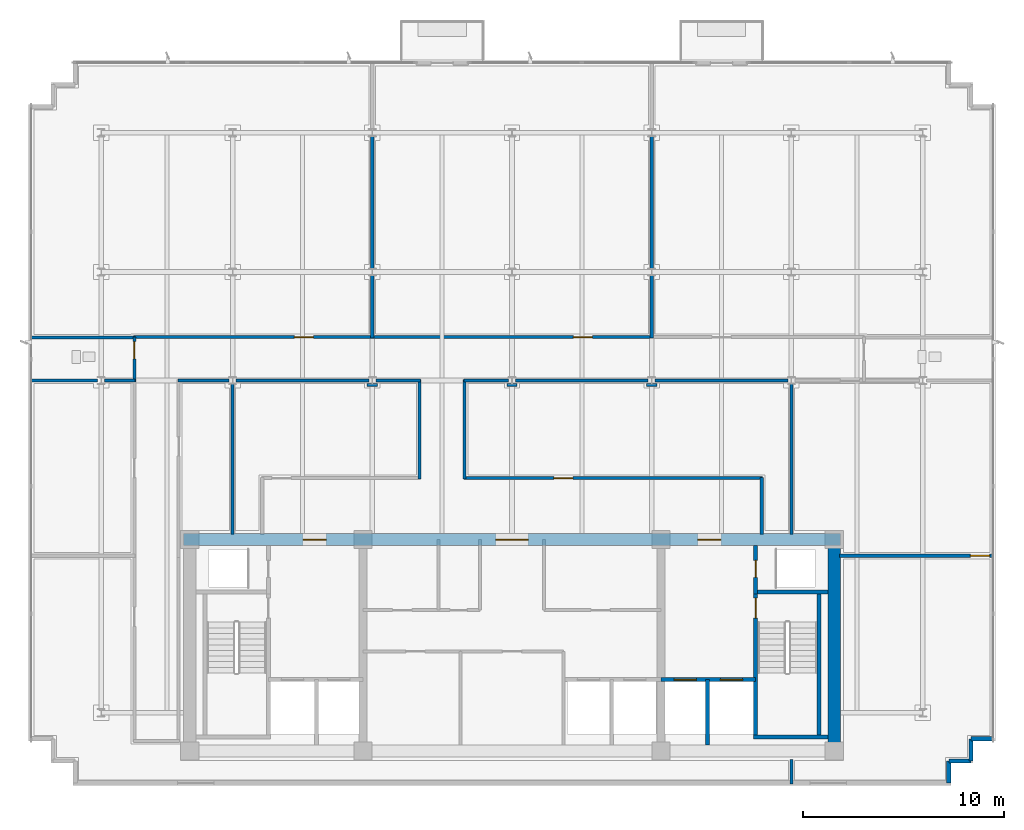
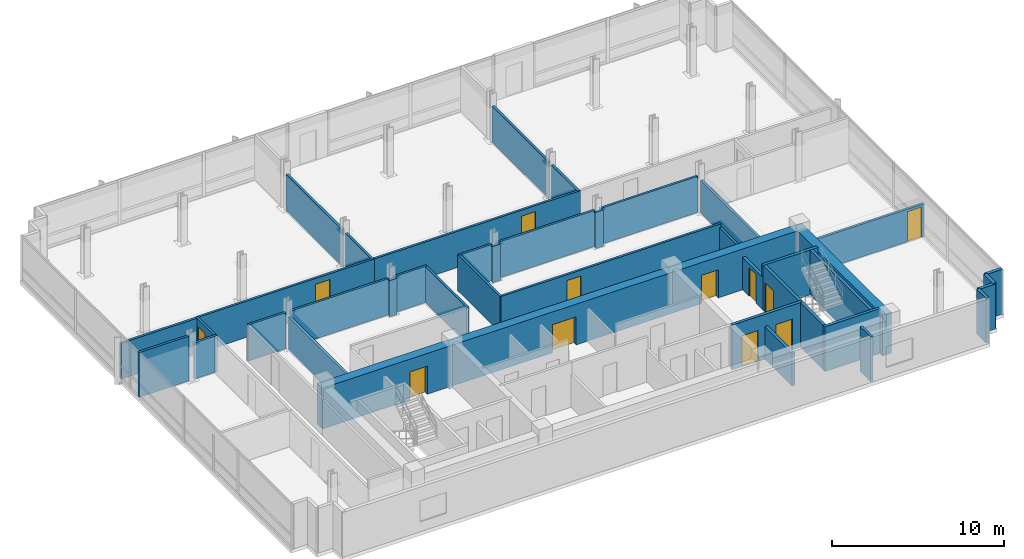
# One storey, part 9 of 15: 40 walls, 12 doors, 12 openings.
"""IFC4 building model written with IfcOpenShell, lengths in metres."""

from ifc_helpers import new_model, si_unit, direction, frame, frame_2d, origin, place, context, subcontext, project, spatial, rectangle, extrude, material, layer, layer_set, type_object, element, fill, save


model = new_model("IFC4")

# Units and contexts
model_context = context("Model", 3, precision=1e-05, world=origin(), true_north=direction((0.0, 1.0)))
body_context = subcontext(model_context, "Body", "Model", "MODEL_VIEW")
ifc_project = project(units=[si_unit("LENGTHUNIT", "METRE"), si_unit("AREAUNIT", "SQUARE_METRE"), si_unit("VOLUMEUNIT", "CUBIC_METRE"), si_unit("PLANEANGLEUNIT", "RADIAN"), si_unit("MASSUNIT", "GRAM", prefix="KILO")], contexts=[model_context])

# Site, building, storey
site_placement = place(None, origin())
site = spatial("IfcSite", under=ifc_project, at=site_placement, CompositionType="ELEMENT")
building_placement = place(site_placement, origin())
building = spatial("IfcBuilding", under=site, at=building_placement, Name="Solmavex Isthmus Hotel", CompositionType="ELEMENT")
storey_placement = place(building_placement, frame((0.0, 0.0, 273.0)))
storey = spatial("IfcBuildingStorey", under=building, at=storey_placement, Name="L74", CompositionType="ELEMENT", Elevation=273.0)

# Walls
ifc_material_1 = material(Name="Precast Concrete C40/50", Category="concrete")
ifc_layer_1 = layer(ifc_material_1, 0.25)
ifc_layer_set_1 = layer_set([ifc_layer_1], Name="Precast Concrete C40/50")
wall_type_1 = type_object("IfcWallType", Name="EW-TWR-250", PredefinedType="STANDARD", material=ifc_layer_set_1)
wall_1_placement = place(storey_placement, frame((23.889892578125, -12.389892578125, 0.0), z_axis=(0.0, 0.0, 1.0), x_axis=(-1.0, 0.0, 0.0)))
element("IfcWall", 1, at=wall_1_placement, inside=storey, type_object=wall_type_1, Name="Serrated Corner Facade Panel L74-16", PredefinedType="STANDARD", context=body_context, shape_type="SweptSolid", body=[
    extrude(rectangle(XDim=1.099853515625, YDim=0.219970703125, at=frame_2d((0.5498046875, 0.0))), origin(), (0.0, 0.0, 1.0), 3.18994140625),
])
for number, where, z_axis, x_axis, name in (
    (2, (22.7900390625, -12.389892578125, 0.0), (0.0, 0.0, 1.0), (0.0, -1.0, 0.0), "Serrated Corner Facade Panel L74-17"),
    (3, (22.7900390625, -13.489990234375, 0.0), (0.0, 0.0, 1.0), (-1.0, 0.0, 0.0), "Serrated Corner Facade Panel L74-18"),
    (4, (21.68994140625, -13.489990234375, 0.0), (0.0, 0.0, 1.0), (0.0, -1.0, 0.0), "Serrated Corner Facade Panel L74-19"),
):
    element("IfcWall", number, at=place(storey_placement, frame(where, z_axis=z_axis, x_axis=x_axis)), inside=storey, type_object=wall_type_1, Name=name, PredefinedType="STANDARD", context=body_context, shape_type="SweptSolid", body=[
        extrude(rectangle(XDim=1.10009765625, YDim=0.219970703125, at=frame_2d((0.550048828125, 0.0))), origin(), (0.0, 0.0, 1.0), 3.18994140625),
    ])
ifc_material_2 = material(Name="Gypsum plasterboard lining", Category="gypsum")
ifc_layer_2 = layer(ifc_material_2, 0.159912109375)
ifc_layer_set_2 = layer_set([ifc_layer_2], Name="Gypsum plasterboard lining")
wall_type_2 = type_object("IfcWallType", Name="IW-COMP-160", PredefinedType="PARTITIONING", material=ifc_layer_set_2)
wall_2_placement = place(storey_placement, frame((-6.93603515625, 10.613037109375, 0.0), z_axis=(0.0, 0.0, 1.0), x_axis=(0.0, -1.0, 0.0)))
element("IfcWall", 5, at=wall_2_placement, inside=storey, type_object=wall_type_2, Name="Interior Partition Wall W-L74-P027", PredefinedType="PARTITIONING", context=body_context, shape_type="SweptSolid", body=[
    extrude(rectangle(XDim=3.10302734375, YDim=0.159912109375, at=frame_2d((1.551513671875, 0.0))), origin(), (0.0, 0.0, 1.0), 2.572265625),
])
wall_3_placement = place(storey_placement, frame((-6.93603515625, 17.52490234375, 0.0), z_axis=(0.0, 0.0, 1.0), x_axis=(0.0, -1.0, 0.0)))
element("IfcWall", 6, at=wall_3_placement, inside=storey, type_object=wall_type_2, Name="Interior Partition Wall W-L74-P028", PredefinedType="PARTITIONING", context=body_context, shape_type="SweptSolid", body=[
    extrude(rectangle(XDim=6.56201171875, YDim=0.159912109375, at=frame_2d((3.281005859375, 0.0))), origin(), (0.0, 0.0, 1.0), 2.572265625),
])
wall_4_placement = place(storey_placement, frame((-18.7099609375, 7.530029296875, 0.0), z_axis=(0.0, 0.0, 1.0), x_axis=(-1.0, 0.0, 0.0)))
element("IfcWall", 7, at=wall_4_placement, inside=storey, type_object=wall_type_2, Name="Interior Partition Wall W-L74-P030", PredefinedType="PARTITIONING", context=body_context, shape_type="SweptSolid", body=[
    extrude(rectangle(XDim=5.2099609375, YDim=0.159912109375, at=frame_2d((2.60498046875, 0.0))), origin(), (0.0, 0.0, 1.0), 2.5576171875),
])
wall_5_placement = place(storey_placement, frame((6.93603515625, 10.613037109375, 0.0), z_axis=(0.0, 0.0, 1.0), x_axis=(0.0, -1.0, 0.0)))
element("IfcWall", 8, at=wall_5_placement, inside=storey, type_object=wall_type_2, Name="Interior Partition Wall W-L74-P031", PredefinedType="PARTITIONING", context=body_context, shape_type="SweptSolid", body=[
    extrude(rectangle(XDim=3.10302734375, YDim=0.159912109375, at=frame_2d((1.551513671875, 0.0))), origin(), (0.0, 0.0, 1.0), 2.572265625),
])
wall_6_placement = place(storey_placement, frame((6.93603515625, 17.52490234375, 0.0), z_axis=(0.0, 0.0, 1.0), x_axis=(0.0, -1.0, 0.0)))
element("IfcWall", 9, at=wall_6_placement, inside=storey, type_object=wall_type_2, Name="Interior Partition Wall W-L74-P032", PredefinedType="PARTITIONING", context=body_context, shape_type="SweptSolid", body=[
    extrude(rectangle(XDim=6.56201171875, YDim=0.159912109375, at=frame_2d((3.281005859375, 0.0))), origin(), (0.0, 0.0, 1.0), 2.572265625),
])
wall_7_placement = place(storey_placement, frame((-20.574951171875, 5.39990234375, 0.0), z_axis=(0.0, 0.0, 1.0), x_axis=(-1.0, 0.0, 0.0)))
element("IfcWall", 10, at=wall_7_placement, inside=storey, type_object=wall_type_2, Name="Interior Partition Wall W-L74-P035", PredefinedType="PARTITIONING", context=body_context, shape_type="SweptSolid", body=[
    extrude(rectangle(XDim=3.344970703125, YDim=0.159912109375, at=frame_2d((1.67236328125, 0.0))), origin(), (0.0, 0.0, 1.0), 3.18994140625),
])
wall_8_placement = place(storey_placement, frame((-18.7099609375, 5.39990234375, 0.0), z_axis=(0.0, 0.0, 1.0), x_axis=(-1.0, 0.0, 0.0)))
element("IfcWall", 11, at=wall_8_placement, inside=storey, type_object=wall_type_2, Name="Interior Partition Wall W-L74-P036", PredefinedType="PARTITIONING", context=body_context, shape_type="SweptSolid", body=[
    extrude(rectangle(XDim=1.51513671875, YDim=0.159912109375, at=frame_2d((0.757568359375, 0.0))), origin(), (0.0, 0.0, 1.0), 2.572265625),
])
for number, where, z_axis, x_axis, name in (
    (12, (-13.8720703125, 5.22509765625, 0.0), (0.0, 0.0, 1.0), (0.0, -1.0, 0.0), "Interior Partition Wall W-L74-P039"),
    (13, (13.8720703125, 5.22509765625, 0.0), (0.0, 0.0, 1.0), (0.0, -1.0, 0.0), "Interior Partition Wall W-L74-P041"),
):
    element("IfcWall", number, at=place(storey_placement, frame(where, z_axis=z_axis, x_axis=x_axis)), inside=storey, type_object=wall_type_2, Name=name, PredefinedType="PARTITIONING", context=body_context, shape_type="SweptSolid", body=[
        extrude(rectangle(XDim=7.465087890625, YDim=0.159912109375, at=frame_2d((3.732421875, 0.0))), origin(), (0.0, 0.0, 1.0), 2.324951171875),
    ])

# Wall, opening, door
wall_9_placement = place(storey_placement, frame((23.919921875, -3.300048828125, 0.0), z_axis=(0.0, 0.0, 1.0), x_axis=(-1.0, 0.0, 0.0)))
wall_9 = element("IfcWall", 14, at=wall_9_placement, inside=storey, type_object=wall_type_2, Name="Interior Partition Wall W-L74-P042", PredefinedType="PARTITIONING", context=body_context, shape_type="SweptSolid", body=[
    extrude(rectangle(XDim=7.659912109375, YDim=0.159912109375, at=frame_2d((3.830078125, 0.0))), origin(), (0.0, 0.0, 1.0), 2.324951171875),
])
opening_1_placement = place(wall_9_placement, frame((0.2099609375, 0.0, 0.0)))
opening_1 = element("IfcOpeningElement", 15, at=opening_1_placement, cuts=wall_9, Name="Opening ID-C095", PredefinedType="OPENING", context=body_context, shape_type="SweptSolid", body=[
    extrude(rectangle(XDim=0.949951171875, YDim=2.14990234375, at=frame_2d((0.47509765625, 1.074951171875))), frame((0.0, 0.08984375, 0.0), z_axis=(0.0, -1.0, 0.0), x_axis=(1.0, 0.0, 0.0)), (0.0, 0.0, 1.0), 0.179931640625),
])
ifc_material_3 = material(Name="Hardwood timber", Category="wood")
door_type_1 = type_object("IfcDoorType", Name="IDR-FD60-0950", OperationType="NOTDEFINED", PredefinedType="DOOR", material=ifc_material_3)
door_1_placement = place(opening_1_placement, origin())
door_1 = element("IfcDoor", 16, at=door_1_placement, inside=storey, type_object=door_type_1, Name="Corporate Briefing Office Door L74-11", OperationType="SINGLE_SWING_LEFT", OverallHeight=2.14990234375, OverallWidth=0.949951171875, PredefinedType="DOOR", context=body_context, shape_type="SweptSolid", body=[
    extrude(rectangle(XDim=0.949951171875, YDim=2.14990234375, at=frame_2d((0.47509765625, 1.074951171875))), frame((0.0, 0.02490234375, 0.0), z_axis=(0.0, -1.0, 0.0), x_axis=(1.0, 0.0, 0.0)), (0.0, 0.0, 1.0), 0.050048828125),
])
fill(opening_1, door_1)

# Wall
wall_10_placement = place(storey_placement, frame((13.8720703125, -14.6201171875, 0.0), z_axis=(0.0, 0.0, 1.0), x_axis=(0.0, 1.0, 0.0)))
element("IfcWall", 17, at=wall_10_placement, inside=storey, type_object=wall_type_2, Name="Interior Partition Wall W-L74-P043", PredefinedType="PARTITIONING", context=body_context, shape_type="SweptSolid", body=[
    extrude(rectangle(XDim=1.210205078125, YDim=0.159912109375, at=frame_2d((0.60498046875, 0.0))), origin(), (0.0, 0.0, 1.0), 3.18994140625),
])

# Wall, opening, door
ifc_layer_3 = layer(ifc_material_2, 0.14990234375)
ifc_layer_set_3 = layer_set([ifc_layer_3], Name="Gypsum plasterboard lining")
wall_type_3 = type_object("IfcWallType", Name="IW-CORR-150", PredefinedType="PARTITIONING", material=ifc_layer_set_3)
wall_11_placement = place(storey_placement, frame((-18.7900390625, 7.550048828125, 0.0), z_axis=(0.0, 0.0, 1.0), x_axis=(1.0, 0.0, 0.0)))
wall_11 = element("IfcWall", 18, at=wall_11_placement, inside=storey, type_object=wall_type_3, Name="Interior Partition Wall W-L74-P001", PredefinedType="PARTITIONING", context=body_context, shape_type="SweptSolid", body=[
    extrude(rectangle(XDim=11.93603515625, YDim=0.14990234375, at=frame_2d((5.968017578125, 0.0))), origin(), (0.0, 0.0, 1.0), 2.572265625),
])
opening_2_placement = place(wall_11_placement, frame((7.98291015625, 0.0, 0.0)))
opening_2 = element("IfcOpeningElement", 19, at=opening_2_placement, cuts=wall_11, Name="Opening ID-C095", PredefinedType="OPENING", context=body_context, shape_type="SweptSolid", body=[
    extrude(rectangle(XDim=0.949951171875, YDim=2.14990234375, at=frame_2d((0.47509765625, 1.074951171875))), frame((0.0, 0.0849609375, 0.0), z_axis=(0.0, -1.0, 0.0), x_axis=(1.0, 0.0, 0.0)), (0.0, 0.0, 1.0), 0.169921875),
])
door_2_placement = place(opening_2_placement, origin())
door_2 = element("IfcDoor", 20, at=door_2_placement, inside=storey, type_object=door_type_1, Name="Corporate Briefing Office Door L74-01", OperationType="SINGLE_SWING_LEFT", OverallHeight=2.14990234375, OverallWidth=0.949951171875, PredefinedType="DOOR", context=body_context, shape_type="SweptSolid", body=[
    extrude(rectangle(XDim=0.949951171875, YDim=2.14990234375, at=frame_2d((0.47509765625, 1.074951171875))), frame((0.0, 0.02490234375, 0.0), z_axis=(0.0, -1.0, 0.0), x_axis=(1.0, 0.0, 0.0)), (0.0, 0.0, 1.0), 0.050048828125),
])
fill(opening_2, door_2)

wall_12_placement = place(storey_placement, frame((-7.01806640625, 7.550048828125, 0.0), z_axis=(0.0, 0.0, 1.0), x_axis=(1.0, 0.0, 0.0)))
wall_12 = element("IfcWall", 21, at=wall_12_placement, inside=storey, type_object=wall_type_3, Name="Interior Partition Wall W-L74-P002", PredefinedType="PARTITIONING", context=body_context, shape_type="SweptSolid", body=[
    extrude(rectangle(XDim=14.0361328125, YDim=0.14990234375, at=frame_2d((7.01806640625, 0.0))), origin(), (0.0, 0.0, 1.0), 2.572265625),
])
opening_3_placement = place(wall_12_placement, frame((10.059814453125, 0.0, 0.0)))
opening_3 = element("IfcOpeningElement", 22, at=opening_3_placement, cuts=wall_12, Name="Opening ID-C095", PredefinedType="OPENING", context=body_context, shape_type="SweptSolid", body=[
    extrude(rectangle(XDim=0.949951171875, YDim=2.14990234375, at=frame_2d((0.47509765625, 1.074951171875))), frame((0.0, 0.0849609375, 0.0), z_axis=(0.0, -1.0, 0.0), x_axis=(1.0, 0.0, 0.0)), (0.0, 0.0, 1.0), 0.169921875),
])
door_3_placement = place(opening_3_placement, origin())
door_3 = element("IfcDoor", 23, at=door_3_placement, inside=storey, type_object=door_type_1, Name="Corporate Briefing Office Door L74-02", OperationType="SINGLE_SWING_RIGHT", OverallHeight=2.14990234375, OverallWidth=0.949951171875, PredefinedType="DOOR", context=body_context, shape_type="SweptSolid", body=[
    extrude(rectangle(XDim=0.949951171875, YDim=2.14990234375, at=frame_2d((0.47509765625, 1.074951171875))), frame((0.0, 0.02490234375, 0.0), z_axis=(0.0, -1.0, 0.0), x_axis=(1.0, 0.0, 0.0)), (0.0, 0.0, 1.0), 0.050048828125),
])
fill(opening_3, door_3)

wall_13_placement = place(storey_placement, frame((-18.75, 5.318115234375, 0.0), z_axis=(0.0, 0.0, 1.0), x_axis=(0.0, 1.0, 0.0)))
wall_13 = element("IfcWall", 24, at=wall_13_placement, inside=storey, type_object=wall_type_3, Name="Interior Partition Wall W-L74-P004", PredefinedType="PARTITIONING", context=body_context, shape_type="SweptSolid", body=[
    extrude(rectangle(XDim=2.251953125, YDim=0.14990234375, at=frame_2d((1.1259765625, 0.0))), origin(), (0.0, 0.0, 1.0), 2.572265625),
])
opening_4_placement = place(wall_13_placement, frame((1.156982421875, 0.0, 0.0)))
opening_4 = element("IfcOpeningElement", 25, at=opening_4_placement, cuts=wall_13, Name="Opening ID-R085", PredefinedType="OPENING", context=body_context, shape_type="SweptSolid", body=[
    extrude(rectangle(XDim=0.85009765625, YDim=2.050048828125, at=frame_2d((0.425048828125, 1.02490234375))), frame((0.0, 0.0849609375, 0.0), z_axis=(0.0, -1.0, 0.0), x_axis=(1.0, 0.0, 0.0)), (0.0, 0.0, 1.0), 0.169921875),
])
ifc_material_4 = material(Name="Steel ASTM A500 Grade C", Category="steel")
door_type_2 = type_object("IfcDoorType", Name="IDR-FD60-0850", OperationType="NOTDEFINED", PredefinedType="DOOR", material=ifc_material_4)
door_4_placement = place(opening_4_placement, frame((0.85009765625, 0.0, 0.0), z_axis=(0.0, 0.0, 1.0), x_axis=(-1.0, 0.0, 0.0)))
door_4 = element("IfcDoor", 26, at=door_4_placement, inside=storey, type_object=door_type_2, Name="Accessible Public Restroom WC Door L74-04", OperationType="SINGLE_SWING_RIGHT", OverallHeight=2.050048828125, OverallWidth=0.85009765625, PredefinedType="DOOR", context=body_context, shape_type="SweptSolid", body=[
    extrude(rectangle(XDim=0.85009765625, YDim=2.050048828125, at=frame_2d((0.425048828125, 1.02490234375))), frame((0.0, 0.02490234375, 0.0), z_axis=(0.0, -1.0, 0.0), x_axis=(1.0, 0.0, 0.0)), (0.0, 0.0, 1.0), 0.050048828125),
])
fill(opening_4, door_4)

# Walls
wall_14_placement = place(storey_placement, frame((-14.047119140625, 5.39990234375, 0.0), z_axis=(0.0, 0.0, 1.0), x_axis=(-1.0, 0.0, 0.0)))
element("IfcWall", 27, at=wall_14_placement, inside=storey, type_object=wall_type_3, Name="Interior Partition Wall W-L74-P006", PredefinedType="PARTITIONING", context=body_context, shape_type="SweptSolid", body=[
    extrude(rectangle(XDim=2.54296875, YDim=0.14990234375, at=frame_2d((1.271484375, 0.0))), origin(), (0.0, 0.0, 1.0), 2.572265625),
])
wall_15_placement = place(storey_placement, frame((-4.587890625, 0.510009765625, 0.0), z_axis=(0.0, 0.0, 1.0), x_axis=(0.0, 1.0, 0.0)))
element("IfcWall", 28, at=wall_15_placement, inside=storey, type_object=wall_type_3, Name="Interior Partition Wall W-L74-P011", PredefinedType="PARTITIONING", context=body_context, shape_type="SweptSolid", body=[
    extrude(rectangle(XDim=4.929931640625, YDim=0.14990234375, at=frame_2d((2.46484375, 0.0))), origin(), (0.0, 0.0, 1.0), 2.572265625),
])
wall_16_placement = place(storey_placement, frame((-4.548095703125, 5.39990234375, 0.0), z_axis=(0.0, 0.0, 1.0), x_axis=(-1.0, 0.0, 0.0)))
element("IfcWall", 29, at=wall_16_placement, inside=storey, type_object=wall_type_3, Name="Interior Partition Wall W-L74-P012", PredefinedType="PARTITIONING", context=body_context, shape_type="SweptSolid", body=[
    extrude(rectangle(XDim=2.212890625, YDim=0.14990234375, at=frame_2d((1.1064453125, 0.0))), origin(), (0.0, 0.0, 1.0), 2.572265625),
])
wall_17_placement = place(storey_placement, frame((-6.680908203125, 5.18505859375, 0.0), z_axis=(0.0, 0.0, 1.0), x_axis=(-1.0, 0.0, 0.0)))
element("IfcWall", 30, at=wall_17_placement, inside=storey, type_object=wall_type_3, Name="Interior Partition Wall W-L74-P013", PredefinedType="PARTITIONING", context=body_context, shape_type="SweptSolid", body=[
    extrude(rectangle(XDim=0.510009765625, YDim=0.14990234375, at=frame_2d((0.2548828125, 0.0))), origin(), (0.0, 0.0, 1.0), 2.572265625),
])
for number, where, z_axis, x_axis, name in (
    (31, (-7.111083984375, 5.39990234375, 0.0), (0.0, 0.0, 1.0), (-1.0, 0.0, 0.0), "Interior Partition Wall W-L74-P014"),
    (32, (13.697021484375, 5.39990234375, 0.0), (0.0, 0.0, 1.0), (-1.0, 0.0, 0.0), "Interior Partition Wall W-L74-P015"),
):
    element("IfcWall", number, at=place(storey_placement, frame(where, z_axis=z_axis, x_axis=x_axis)), inside=storey, type_object=wall_type_3, Name=name, PredefinedType="PARTITIONING", context=body_context, shape_type="SweptSolid", body=[
        extrude(rectangle(XDim=6.5859375, YDim=0.14990234375, at=frame_2d((3.29296875, 0.0))), origin(), (0.0, 0.0, 1.0), 2.572265625),
    ])
wall_18_placement = place(storey_placement, frame((7.19091796875, 5.18505859375, 0.0), z_axis=(0.0, 0.0, 1.0), x_axis=(-1.0, 0.0, 0.0)))
element("IfcWall", 33, at=wall_18_placement, inside=storey, type_object=wall_type_3, Name="Interior Partition Wall W-L74-P016", PredefinedType="PARTITIONING", context=body_context, shape_type="SweptSolid", body=[
    extrude(rectangle(XDim=0.510009765625, YDim=0.14990234375, at=frame_2d((0.2548828125, 0.0))), origin(), (0.0, 0.0, 1.0), 2.572265625),
])
wall_19_placement = place(storey_placement, frame((6.760986328125, 5.39990234375, 0.0), z_axis=(0.0, 0.0, 1.0), x_axis=(-1.0, 0.0, 0.0)))
element("IfcWall", 34, at=wall_19_placement, inside=storey, type_object=wall_type_3, Name="Interior Partition Wall W-L74-P017", PredefinedType="PARTITIONING", context=body_context, shape_type="SweptSolid", body=[
    extrude(rectangle(XDim=6.5859375, YDim=0.14990234375, at=frame_2d((3.29296875, 0.0))), origin(), (0.0, 0.0, 1.0), 2.572265625),
])
wall_20_placement = place(storey_placement, frame((0.2548828125, 5.18505859375, 0.0), z_axis=(0.0, 0.0, 1.0), x_axis=(-1.0, 0.0, 0.0)))
element("IfcWall", 35, at=wall_20_placement, inside=storey, type_object=wall_type_3, Name="Interior Partition Wall W-L74-P018", PredefinedType="PARTITIONING", context=body_context, shape_type="SweptSolid", body=[
    extrude(rectangle(XDim=0.509765625, YDim=0.14990234375, at=frame_2d((0.2548828125, 0.0))), origin(), (0.0, 0.0, 1.0), 2.572265625),
])
wall_21_placement = place(storey_placement, frame((-0.175048828125, 5.39990234375, 0.0), z_axis=(0.0, 0.0, 1.0), x_axis=(-1.0, 0.0, 0.0)))
element("IfcWall", 36, at=wall_21_placement, inside=storey, type_object=wall_type_3, Name="Interior Partition Wall W-L74-P019", PredefinedType="PARTITIONING", context=body_context, shape_type="SweptSolid", body=[
    extrude(rectangle(XDim=2.212890625, YDim=0.14990234375, at=frame_2d((1.1064453125, 0.0))), origin(), (0.0, 0.0, 1.0), 2.572265625),
])
wall_22_placement = place(storey_placement, frame((-2.347900390625, 5.43994140625, 0.0), z_axis=(0.0, 0.0, 1.0), x_axis=(0.0, -1.0, 0.0)))
element("IfcWall", 37, at=wall_22_placement, inside=storey, type_object=wall_type_3, Name="Interior Partition Wall W-L74-P020", PredefinedType="PARTITIONING", context=body_context, shape_type="SweptSolid", body=[
    extrude(rectangle(XDim=4.929931640625, YDim=0.14990234375, at=frame_2d((2.46484375, 0.0))), origin(), (0.0, 0.0, 1.0), 2.572265625),
])

# Wall, opening, door
wall_23_placement = place(storey_placement, frame((-2.387939453125, 0.550048828125, 0.0), z_axis=(0.0, 0.0, 1.0), x_axis=(1.0, 0.0, 0.0)))
wall_23 = element("IfcWall", 38, at=wall_23_placement, inside=storey, type_object=wall_type_3, Name="Interior Partition Wall W-L74-P021", PredefinedType="PARTITIONING", context=body_context, shape_type="SweptSolid", body=[
    extrude(rectangle(XDim=14.827880859375, YDim=0.14990234375, at=frame_2d((7.4140625, 0.0))), origin(), (0.0, 0.0, 1.0), 2.572265625),
])
opening_5_placement = place(wall_23_placement, frame((4.461181640625, 0.0, 0.0)))
opening_5 = element("IfcOpeningElement", 39, at=opening_5_placement, cuts=wall_23, Name="Opening ID-C095", PredefinedType="OPENING", context=body_context, shape_type="SweptSolid", body=[
    extrude(rectangle(XDim=0.949951171875, YDim=2.14990234375, at=frame_2d((0.47509765625, 1.074951171875))), frame((0.0, 0.0849609375, 0.0), z_axis=(0.0, -1.0, 0.0), x_axis=(1.0, 0.0, 0.0)), (0.0, 0.0, 1.0), 0.169921875),
])
door_5_placement = place(opening_5_placement, frame((0.949951171875, 0.0, 0.0), z_axis=(0.0, 0.0, 1.0), x_axis=(-1.0, 0.0, 0.0)))
door_5 = element("IfcDoor", 40, at=door_5_placement, inside=storey, type_object=door_type_1, Name="Wine Tasting Lounge Door L74-09", OperationType="SINGLE_SWING_LEFT", OverallHeight=2.14990234375, OverallWidth=0.949951171875, PredefinedType="DOOR", context=body_context, shape_type="SweptSolid", body=[
    extrude(rectangle(XDim=0.949951171875, YDim=2.14990234375, at=frame_2d((0.47509765625, 1.074951171875))), frame((0.0, 0.02490234375, 0.0), z_axis=(0.0, -1.0, 0.0), x_axis=(1.0, 0.0, 0.0)), (0.0, 0.0, 1.0), 0.050048828125),
])
fill(opening_5, door_5)

# Wall
wall_24_placement = place(storey_placement, frame((12.39990234375, 0.590087890625, 0.0), z_axis=(0.0, 0.0, 1.0), x_axis=(0.0, -1.0, 0.0)))
element("IfcWall", 41, at=wall_24_placement, inside=storey, type_object=wall_type_3, Name="Interior Partition Wall W-L74-P022", PredefinedType="PARTITIONING", context=body_context, shape_type="SweptSolid", body=[
    extrude(rectangle(XDim=2.830078125, YDim=0.14990234375, at=frame_2d((1.4150390625, 0.0))), origin(), (0.0, 0.0, 1.0), 2.324951171875),
])

# Wall, opening, door
ifc_material_5 = material(Name="Concrete C40/50", Category="concrete")
ifc_layer_4 = layer(ifc_material_5, 0.199951171875)
ifc_layer_set_4 = layer_set([ifc_layer_4], Name="Concrete C40/50")
wall_type_4 = type_object("IfcWallType", Name="IW-SHAFT-200", PredefinedType="PARTITIONING", material=ifc_layer_set_4)
wall_25_placement = place(storey_placement, frame((12.10009765625, -5.199951171875, 0.0), z_axis=(0.0, 0.0, 1.0), x_axis=(0.0, 1.0, 0.0)))
wall_25 = element("IfcWall", 42, at=wall_25_placement, inside=storey, type_object=wall_type_4, Name="Interior Partition Wall W-L74-RSE-W", PredefinedType="PARTITIONING", context=body_context, shape_type="SweptSolid", body=[
    extrude(rectangle(XDim=2.39990234375, YDim=0.199951171875, at=frame_2d((1.199951171875, 0.0))), origin(), (0.0, 0.0, 1.0), 2.324951171875),
])
opening_6_placement = place(wall_25_placement, frame((0.824951171875, 0.0, 0.0)))
opening_6 = element("IfcOpeningElement", 43, at=opening_6_placement, cuts=wall_25, Name="Opening ID-R085", PredefinedType="OPENING", context=body_context, shape_type="SweptSolid", body=[
    extrude(rectangle(XDim=0.85009765625, YDim=2.050048828125, at=frame_2d((0.425048828125, 1.02490234375))), frame((0.0, 0.10986328125, 0.0), z_axis=(0.0, -1.0, 0.0), x_axis=(1.0, 0.0, 0.0)), (0.0, 0.0, 1.0), 0.219970703125),
])
door_6_placement = place(opening_6_placement, frame((0.85009765625, 0.0, 0.0), z_axis=(0.0, 0.0, 1.0), x_axis=(-1.0, 0.0, 0.0)))
door_6 = element("IfcDoor", 44, at=door_6_placement, inside=storey, type_object=door_type_2, Name="Mechanical Riser Door L74", OperationType="SINGLE_SWING_LEFT", OverallHeight=2.050048828125, OverallWidth=0.85009765625, PredefinedType="DOOR", context=body_context, shape_type="SweptSolid", body=[
    extrude(rectangle(XDim=0.85009765625, YDim=2.050048828125, at=frame_2d((0.425048828125, 1.02490234375))), frame((0.0, 0.02490234375, 0.0), z_axis=(0.0, -1.0, 0.0), x_axis=(1.0, 0.0, 0.0)), (0.0, 0.0, 1.0), 0.050048828125),
])
fill(opening_6, door_6)

# Wall, openings, doors
wall_26_placement = place(storey_placement, frame((7.39990234375, -9.449951171875, 0.0), z_axis=(0.0, 0.0, 1.0), x_axis=(1.0, 0.0, 0.0)))
wall_26 = element("IfcWall", 45, at=wall_26_placement, inside=storey, type_object=wall_type_4, Name="Interior Partition Wall W-L74-FFLE-S", PredefinedType="PARTITIONING", context=body_context, shape_type="SweptSolid", body=[
    extrude(rectangle(XDim=4.7001953125, YDim=0.199951171875, at=frame_2d((2.35009765625, 0.0))), origin(), (0.0, 0.0, 1.0), 3.18994140625),
])
opening_7_placement = place(wall_26_placement, frame((2.949951171875, 0.0, 0.0)))
opening_7 = element("IfcOpeningElement", 46, at=opening_7_placement, cuts=wall_26, Name="Opening LD-FF", PredefinedType="OPENING", context=body_context, shape_type="SweptSolid", body=[
    extrude(rectangle(XDim=1.10009765625, YDim=2.199951171875, at=frame_2d((0.550048828125, 1.10009765625))), frame((0.0, 0.10986328125, 0.0), z_axis=(0.0, -1.0, 0.0), x_axis=(1.0, 0.0, 0.0)), (0.0, 0.0, 1.0), 0.219970703125),
])
opening_8_placement = place(wall_26_placement, frame((0.64990234375, 0.0, 0.0)))
opening_8 = element("IfcOpeningElement", 47, at=opening_8_placement, cuts=wall_26, Name="Opening LD-SV", PredefinedType="OPENING", context=body_context, shape_type="SweptSolid", body=[
    extrude(rectangle(XDim=1.10009765625, YDim=2.199951171875, at=frame_2d((0.550048828125, 1.10009765625))), frame((0.0, 0.10986328125, 0.0), z_axis=(0.0, -1.0, 0.0), x_axis=(1.0, 0.0, 0.0)), (0.0, 0.0, 1.0), 0.219970703125),
])
ifc_material_6 = material(Name="Stainless steel 316", Category="steel")
door_type_3 = type_object("IfcDoorType", Name="LDR-FF-1100", OperationType="NOTDEFINED", PredefinedType="DOOR", material=ifc_material_6)
door_7_placement = place(opening_7_placement, origin())
door_7 = element("IfcDoor", 48, at=door_7_placement, inside=storey, type_object=door_type_3, Name="Lift Landing Door FFL-2 L74", OperationType="SLIDING_TO_LEFT", OverallHeight=2.199951171875, OverallWidth=1.10009765625, PredefinedType="DOOR", context=body_context, shape_type="SweptSolid", body=[
    extrude(rectangle(XDim=1.10009765625, YDim=2.199951171875, at=frame_2d((0.550048828125, 1.10009765625))), frame((0.0, 0.02490234375, 0.0), z_axis=(0.0, -1.0, 0.0), x_axis=(1.0, 0.0, 0.0)), (0.0, 0.0, 1.0), 0.050048828125),
])
fill(opening_7, door_7)
door_type_4 = type_object("IfcDoorType", Name="LDR-SV-1100", OperationType="NOTDEFINED", PredefinedType="DOOR", material=ifc_material_6)
door_8_placement = place(opening_8_placement, origin())
door_8 = element("IfcDoor", 49, at=door_8_placement, inside=storey, type_object=door_type_4, Name="Lift Landing Door SVL-2 L74", OperationType="SLIDING_TO_RIGHT", OverallHeight=2.199951171875, OverallWidth=1.10009765625, PredefinedType="DOOR", context=body_context, shape_type="SweptSolid", body=[
    extrude(rectangle(XDim=1.10009765625, YDim=2.199951171875, at=frame_2d((0.550048828125, 1.10009765625))), frame((0.0, 0.02490234375, 0.0), z_axis=(0.0, -1.0, 0.0), x_axis=(1.0, 0.0, 0.0)), (0.0, 0.0, 1.0), 0.050048828125),
])
fill(opening_8, door_8)

# Wall
wall_27_placement = place(storey_placement, frame((9.699951171875, -12.699951171875, 0.0), z_axis=(0.0, 0.0, 1.0), x_axis=(0.0, 1.0, 0.0)))
element("IfcWall", 50, at=wall_27_placement, inside=storey, type_object=wall_type_4, Name="Interior Partition Wall W-L74-FFLE-M", PredefinedType="PARTITIONING", context=body_context, shape_type="SweptSolid", body=[
    extrude(rectangle(XDim=3.25, YDim=0.199951171875, at=frame_2d((1.625, 0.0))), origin(), (0.0, 0.0, 1.0), 2.324951171875),
])

# Wall, openings, doors
ifc_material_7 = material(Name="Concrete C50/60", Category="concrete")
ifc_layer_5 = layer(ifc_material_7, 0.60009765625)
ifc_layer_set_5 = layer_set([ifc_layer_5], Name="Concrete C50/60")
wall_type_5 = type_object("IfcWallType", Name="WALL-CW-600", PredefinedType="SHEAR", material=ifc_layer_set_5)
wall_28_placement = place(storey_placement, frame((-16.300048828125, -2.5, 0.0), z_axis=(0.0, 0.0, 1.0), x_axis=(1.0, 0.0, 0.0)))
wall_28 = element("IfcWall", 51, at=wall_28_placement, inside=storey, type_object=wall_type_5, Name="Core Shear Wall North L74", PredefinedType="SHEAR", context=body_context, shape_type="SweptSolid", body=[
    extrude(rectangle(XDim=32.60009765625, YDim=0.60009765625, at=frame_2d((16.300048828125, 0.0))), origin(), (0.0, 0.0, 1.0), 2.909912109375),
])
opening_9_placement = place(wall_28_placement, frame((5.925048828125, 0.0, 0.0)))
opening_9 = element("IfcOpeningElement", 52, at=opening_9_placement, cuts=wall_28, Name="Opening ID-F915", PredefinedType="OPENING", context=body_context, shape_type="SweptSolid", body=[
    extrude(rectangle(XDim=1.14990234375, YDim=2.0, at=frame_2d((0.574951171875, 1.0))), frame((0.0, 0.31005859375, 0.0), z_axis=(0.0, -1.0, 0.0), x_axis=(1.0, 0.0, 0.0)), (0.0, 0.0, 1.0), 0.6201171875),
])
opening_10_placement = place(wall_28_placement, frame((15.5, 0.0, 0.0)))
opening_10 = element("IfcOpeningElement", 53, at=opening_10_placement, cuts=wall_28, Name="Opening ID-F960", PredefinedType="OPENING", context=body_context, shape_type="SweptSolid", body=[
    extrude(rectangle(XDim=1.60009765625, YDim=2.0, at=frame_2d((0.800048828125, 1.0))), frame((0.0, 0.31005859375, 0.0), z_axis=(0.0, -1.0, 0.0), x_axis=(1.0, 0.0, 0.0)), (0.0, 0.0, 1.0), 0.6201171875),
])
opening_11_placement = place(wall_28_placement, frame((25.52490234375, 0.0, 0.0)))
opening_11 = element("IfcOpeningElement", 54, at=opening_11_placement, cuts=wall_28, Name="Opening ID-F915", PredefinedType="OPENING", context=body_context, shape_type="SweptSolid", body=[
    extrude(rectangle(XDim=1.14990234375, YDim=2.0, at=frame_2d((0.574951171875, 1.0))), frame((0.0, 0.31005859375, 0.0), z_axis=(0.0, -1.0, 0.0), x_axis=(1.0, 0.0, 0.0)), (0.0, 0.0, 1.0), 0.6201171875),
])
door_type_5 = type_object("IfcDoorType", Name="IDR-FD90-1150C", OperationType="NOTDEFINED", PredefinedType="DOOR", material=ifc_material_4)
door_9_placement = place(opening_9_placement, origin())
door_9 = element("IfcDoor", 55, at=door_9_placement, inside=storey, type_object=door_type_5, Name="Firefighting Lobby West Exit Door L74", OperationType="SINGLE_SWING_LEFT", OverallHeight=2.0, OverallWidth=1.14990234375, PredefinedType="DOOR", context=body_context, shape_type="SweptSolid", body=[
    extrude(rectangle(XDim=1.14990234375, YDim=2.0, at=frame_2d((0.574951171875, 1.0))), frame((0.0, 0.02490234375, 0.0), z_axis=(0.0, -1.0, 0.0), x_axis=(1.0, 0.0, 0.0)), (0.0, 0.0, 1.0), 0.050048828125),
])
fill(opening_9, door_9)
door_10_placement = place(opening_11_placement, origin())
door_10 = element("IfcDoor", 56, at=door_10_placement, inside=storey, type_object=door_type_5, Name="Firefighting Lobby East Exit Door L74", OperationType="SINGLE_SWING_RIGHT", OverallHeight=2.0, OverallWidth=1.14990234375, PredefinedType="DOOR", context=body_context, shape_type="SweptSolid", body=[
    extrude(rectangle(XDim=1.14990234375, YDim=2.0, at=frame_2d((0.574951171875, 1.0))), frame((0.0, 0.02490234375, 0.0), z_axis=(0.0, -1.0, 0.0), x_axis=(1.0, 0.0, 0.0)), (0.0, 0.0, 1.0), 0.050048828125),
])
fill(opening_11, door_10)
door_type_6 = type_object("IfcDoorType", Name="IDR-FD90-1600C", OperationType="NOTDEFINED", PredefinedType="DOOR", material=ifc_material_4)
door_11_placement = place(opening_10_placement, origin())
door_11 = element("IfcDoor", 57, at=door_11_placement, inside=storey, type_object=door_type_6, Name="Central Lift Lobby Door L74", OperationType="DOUBLE_DOOR_SINGLE_SWING", OverallHeight=2.0, OverallWidth=1.60009765625, PredefinedType="DOOR", context=body_context, shape_type="SweptSolid", body=[
    extrude(rectangle(XDim=1.60009765625, YDim=2.0, at=frame_2d((0.800048828125, 1.0))), frame((0.0, 0.02490234375, 0.0), z_axis=(0.0, -1.0, 0.0), x_axis=(1.0, 0.0, 0.0)), (0.0, 0.0, 1.0), 0.050048828125),
])
fill(opening_10, door_11)

# Walls
wall_29_placement = place(storey_placement, frame((16.0, -12.699951171875, 0.0), z_axis=(0.0, 0.0, 1.0), x_axis=(0.0, 1.0, 0.0)))
element("IfcWall", 58, at=wall_29_placement, inside=storey, type_object=wall_type_5, Name="Core Shear Wall East L74", PredefinedType="SHEAR", context=body_context, shape_type="SweptSolid", body=[
    extrude(rectangle(XDim=9.89990234375, YDim=0.60009765625, at=frame_2d((4.949951171875, 0.0))), origin(), (0.0, 0.0, 1.0), 2.909912109375),
])
ifc_layer_6 = layer(ifc_material_5, 0.199951171875)
ifc_layer_set_6 = layer_set([ifc_layer_6], Name="Concrete C40/50")
wall_type_6 = type_object("IfcWallType", Name="WALL-SW-200", PredefinedType="SOLIDWALL", material=ifc_layer_set_6)
for number, where, z_axis, x_axis, name in (
    (59, (12.0, -12.300048828125, 0.0), (0.0, 0.0, 1.0), (1.0, 0.0, 0.0), "Stairwell Structural Wall SW-L74-ST2-S"),
    (60, (12.0, -5.10009765625, 0.0), (0.0, 0.0, 1.0), (1.0, 0.0, 0.0), "Stairwell Structural Wall SW-L74-ST2-N"),
):
    element("IfcWall", number, at=place(storey_placement, frame(where, z_axis=z_axis, x_axis=x_axis)), inside=storey, type_object=wall_type_6, Name=name, PredefinedType="SOLIDWALL", context=body_context, shape_type="SweptSolid", body=[
        extrude(rectangle(XDim=3.699951171875, YDim=0.199951171875, at=frame_2d((1.85009765625, 0.0))), origin(), (0.0, 0.0, 1.0), 3.18994140625),
    ])

# Wall, opening, door
wall_30_placement = place(storey_placement, frame((12.10009765625, -12.199951171875, 0.0), z_axis=(0.0, 0.0, 1.0), x_axis=(0.0, 1.0, 0.0)))
wall_30 = element("IfcWall", 61, at=wall_30_placement, inside=storey, type_object=wall_type_6, Name="Stairwell Structural Wall SW-L74-ST2-W", PredefinedType="SOLIDWALL", context=body_context, shape_type="SweptSolid", body=[
    extrude(rectangle(XDim=7.0, YDim=0.199951171875, at=frame_2d((3.5, 0.0))), origin(), (0.0, 0.0, 1.0), 3.18994140625),
])
opening_12_placement = place(wall_30_placement, frame((5.800048828125, 0.0, 0.0)))
opening_12 = element("IfcOpeningElement", 62, at=opening_12_placement, cuts=wall_30, Name="Opening ID-F100", PredefinedType="OPENING", context=body_context, shape_type="SweptSolid", body=[
    extrude(rectangle(XDim=1.0, YDim=2.10009765625, at=frame_2d((0.5, 1.050048828125))), frame((0.0, 0.10986328125, 0.0), z_axis=(0.0, -1.0, 0.0), x_axis=(1.0, 0.0, 0.0)), (0.0, 0.0, 1.0), 0.219970703125),
])
door_type_7 = type_object("IfcDoorType", Name="IDR-FD90-1000", OperationType="NOTDEFINED", PredefinedType="DOOR", material=ifc_material_4)
door_12_placement = place(opening_12_placement, origin())
door_12 = element("IfcDoor", 63, at=door_12_placement, inside=storey, type_object=door_type_7, Name="Stair ST-2 Fire Door L74", OperationType="SINGLE_SWING_RIGHT", OverallHeight=2.10009765625, OverallWidth=1.0, PredefinedType="DOOR", context=body_context, shape_type="SweptSolid", body=[
    extrude(rectangle(XDim=1.0, YDim=2.10009765625, at=frame_2d((0.5, 1.050048828125))), frame((0.0, 0.02490234375, 0.0), z_axis=(0.0, -1.0, 0.0), x_axis=(1.0, 0.0, 0.0)), (0.0, 0.0, 1.0), 0.050048828125),
])
fill(opening_12, door_12)

# Wall
wall_31_placement = place(storey_placement, frame((15.25, -12.199951171875, 0.0), z_axis=(0.0, 0.0, 1.0), x_axis=(0.0, 1.0, 0.0)))
element("IfcWall", 64, at=wall_31_placement, inside=storey, type_object=wall_type_6, Name="Stairwell Structural Wall SW-L74-ST2-E", PredefinedType="SOLIDWALL", context=body_context, shape_type="SweptSolid", body=[
    extrude(rectangle(XDim=7.0, YDim=0.199951171875, at=frame_2d((3.5, 0.0))), origin(), (0.0, 0.0, 1.0), 3.18994140625),
])

save(model, "model.ifc")
